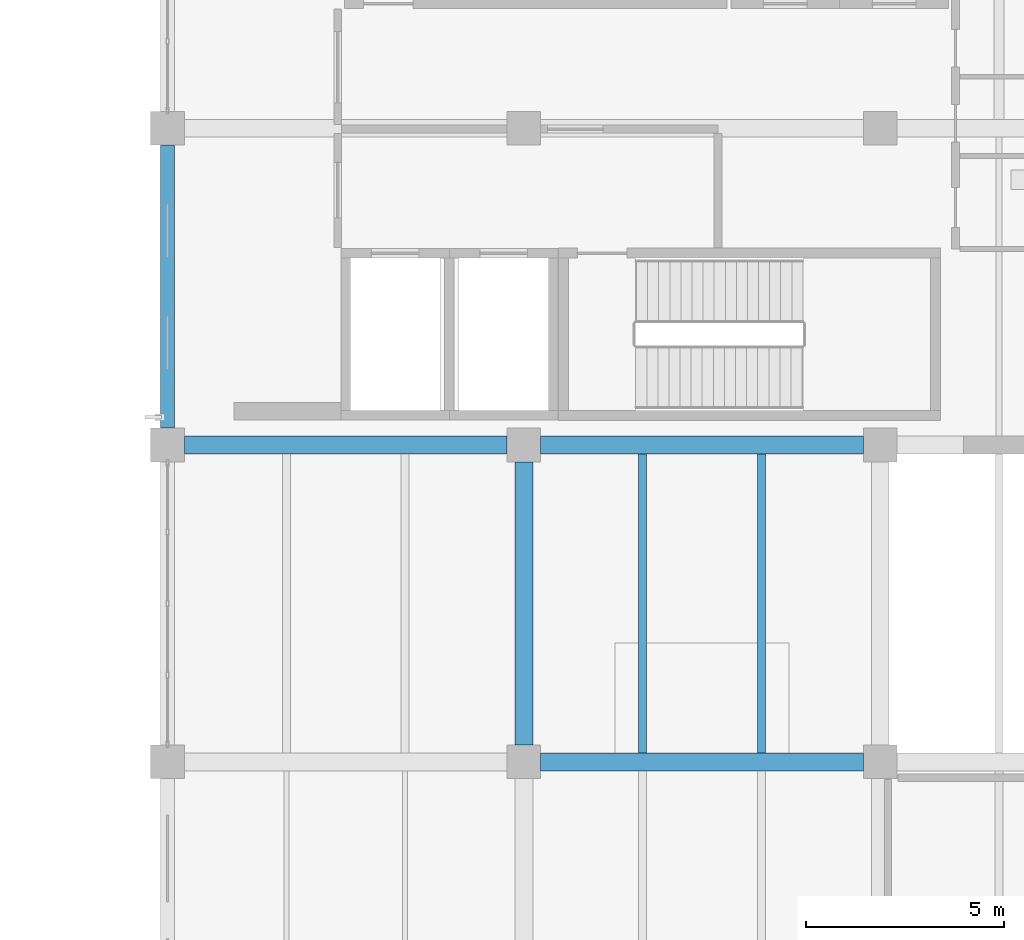
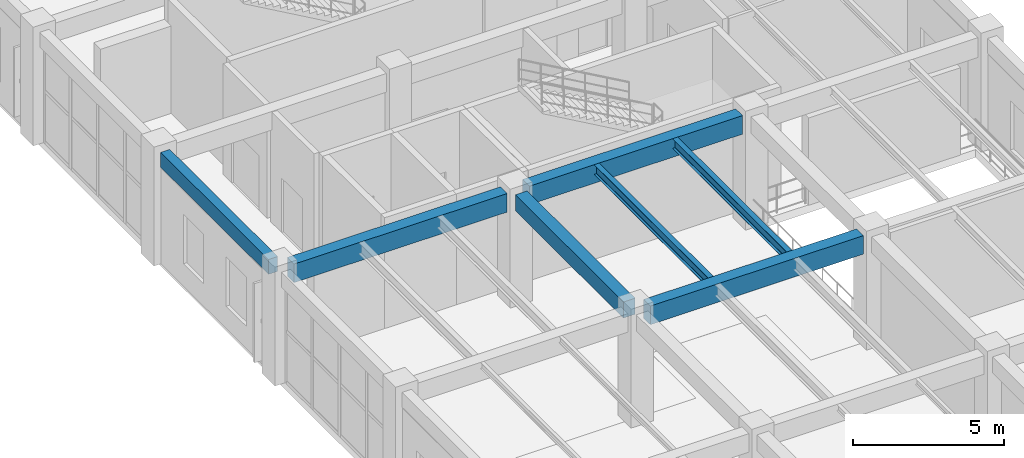
# One storey, part 121 of 178: 7 beams.
"""IFC4 building model written with IfcOpenShell, lengths in metres."""

from ifc_helpers import new_model, si_unit, derived_unit, direction, frame, origin, origin_2d, place, context, subcontext, project, spatial, rectangle, i_section, extrude, material, material_profile, profile_set, type_object, element, save


model = new_model("IFC4")

# Units and contexts
model_context = context("Model", 3, precision=1e-05, world=origin(), true_north=direction((0.0, 1.0)))
body_context = subcontext(model_context, "Body", "Model", "MODEL_VIEW")
ifc_project = project(units=[si_unit("LENGTHUNIT", "METRE"), si_unit("AREAUNIT", "SQUARE_METRE"), si_unit("VOLUMEUNIT", "CUBIC_METRE"), si_unit("PLANEANGLEUNIT", "RADIAN"), si_unit("MASSUNIT", "GRAM", prefix="KILO"), derived_unit("THERMALTRANSMITTANCEUNIT", [(si_unit("MASSUNIT", "GRAM", prefix="KILO"), 1), (si_unit("TIMEUNIT", "SECOND"), -3), (si_unit("THERMODYNAMICTEMPERATUREUNIT", "KELVIN"), -1)])], contexts=[model_context])

# Site, building, storey
site_placement = place(None, origin())
site = spatial("IfcSite", under=ifc_project, at=site_placement, CompositionType="ELEMENT")
building_placement = place(site_placement, origin())
building = spatial("IfcBuilding", under=site, at=building_placement, Name="Zhenchuan Archway Interchange", CompositionType="ELEMENT")
storey_placement = place(building_placement, frame((0.0, 0.0, 5.39990234375)))
storey = spatial("IfcBuildingStorey", under=building, at=storey_placement, Name="L01", CompositionType="ELEMENT", Elevation=5.39990234375)

# Beams
ifc_material_1 = material(Name="Concrete C40", Category="concrete")
ifc_material_profile_1 = material_profile(ifc_material_1, rectangle(XDim=0.449951171875, YDim=0.64990234375, at=origin_2d()), Name="RC 450x650")
ifc_profile_set_1 = profile_set([ifc_material_profile_1], Name="Concrete C40")
beam_type_1 = type_object("IfcBeamType", Name="BM_RC_450x650", PredefinedType="BEAM", material=ifc_profile_set_1)
beam_1_placement = place(storey_placement, frame((153.0, 40.425048828125, 4.18505859375), z_axis=(0.0, 1.0, 0.0), x_axis=(-1.0, 0.0, 0.0)))
element("IfcBeam", 1, at=beam_1_placement, inside=storey, type_object=beam_type_1, Name="Beam 18:F-G (L01)", PredefinedType="BEAM", context=body_context, shape_type="SweptSolid", body=[
    extrude(rectangle(XDim=0.449951171875, YDim=0.64990234375, at=origin_2d()), origin(), (0.0, 0.0, 1.0), 7.14990234375),
])
ifc_material_profile_2 = material_profile(ifc_material_1, rectangle(XDim=0.449951171875, YDim=0.75, at=origin_2d()), Name="RC 450x750")
ifc_profile_set_2 = profile_set([ifc_material_profile_2], Name="Concrete C40")
beam_type_2 = type_object("IfcBeamType", Name="BM_RC_450x750", PredefinedType="BEAM", material=ifc_profile_set_2)
for number, where, z_axis, x_axis, name in (
    (2, (153.425048828125, 40.0, 4.135009765625), (1.0, 0.0, 0.0), (0.0, 1.0, 0.0), "Beam F:18-19 (L01)"),
    (3, (144.425048828125, 48.0, 4.135009765625), (1.0, 0.0, 0.0), (0.0, 1.0, 0.0), "Beam G:17-18 (L01)"),
    (4, (153.425048828125, 48.0, 4.135009765625), (1.0, 0.0, 0.0), (0.0, 1.0, 0.0), "Beam G:18-19 (L01)"),
):
    element("IfcBeam", number, at=place(storey_placement, frame(where, z_axis=z_axis, x_axis=x_axis)), inside=storey, type_object=beam_type_2, Name=name, PredefinedType="BEAM", context=body_context, shape_type="SweptSolid", body=[
        extrude(rectangle(XDim=0.449951171875, YDim=0.75, at=origin_2d()), origin(), (0.0, 0.0, 1.0), 8.14990234375),
    ])
ifc_material_2 = material(Name="Steel Q355", Category="steel")
ifc_material_profile_3 = material_profile(ifc_material_2, i_section(OverallWidth=0.199951171875, OverallDepth=0.39990234375, WebThickness=0.008056640625, FlangeThickness=0.012939453125, FilletRadius=0.01611328125, at=origin_2d()), Name="HN 400x200")
ifc_profile_set_3 = profile_set([ifc_material_profile_3], Name="Steel Q355")
beam_type_3 = type_object("IfcBeamType", Name="JST_STL_HN400", PredefinedType="JOIST", material=ifc_profile_set_3)
for number, where, z_axis, x_axis, name in (
    (5, (156.0, 40.22509765625, 4.31005859375), (0.0, 1.0, 0.0), (-1.0, 0.0, 0.0), "Secondary joist 18-19/F-G #1 (L01)"),
    (6, (159.0, 40.22509765625, 4.31005859375), (0.0, 1.0, 0.0), (-1.0, 0.0, 0.0), "Secondary joist 18-19/F-G #2 (L01)"),
):
    element("IfcBeam", number, at=place(storey_placement, frame(where, z_axis=z_axis, x_axis=x_axis)), inside=storey, type_object=beam_type_3, Name=name, PredefinedType="JOIST", context=body_context, shape_type="SweptSolid", body=[
        extrude(i_section(OverallWidth=0.199951171875, OverallDepth=0.39990234375, WebThickness=0.008056640625, FlangeThickness=0.012939453125, FilletRadius=0.01611328125, at=origin_2d()), origin(), (0.0, 0.0, 1.0), 7.5498046875),
    ])
ifc_material_profile_4 = material_profile(ifc_material_1, rectangle(XDim=0.35009765625, YDim=0.60009765625, at=origin_2d()), Name="RC 350x600")
ifc_profile_set_4 = profile_set([ifc_material_profile_4], Name="Concrete C40")
beam_type_4 = type_object("IfcBeamType", Name="SP_RC_350x600", PredefinedType="SPANDREL", material=ifc_profile_set_4)
beam_2_placement = place(storey_placement, frame((144.0, 48.425048828125, 4.210205078125), z_axis=(0.0, 1.0, 0.0), x_axis=(-1.0, 0.0, 0.0)))
element("IfcBeam", 7, at=beam_2_placement, inside=storey, type_object=beam_type_4, Name="Beam 17:G-H (L01)", PredefinedType="SPANDREL", context=body_context, shape_type="SweptSolid", body=[
    extrude(rectangle(XDim=0.35009765625, YDim=0.60009765625, at=origin_2d()), origin(), (0.0, 0.0, 1.0), 7.14990234375),
])

save(model, "model.ifc")
